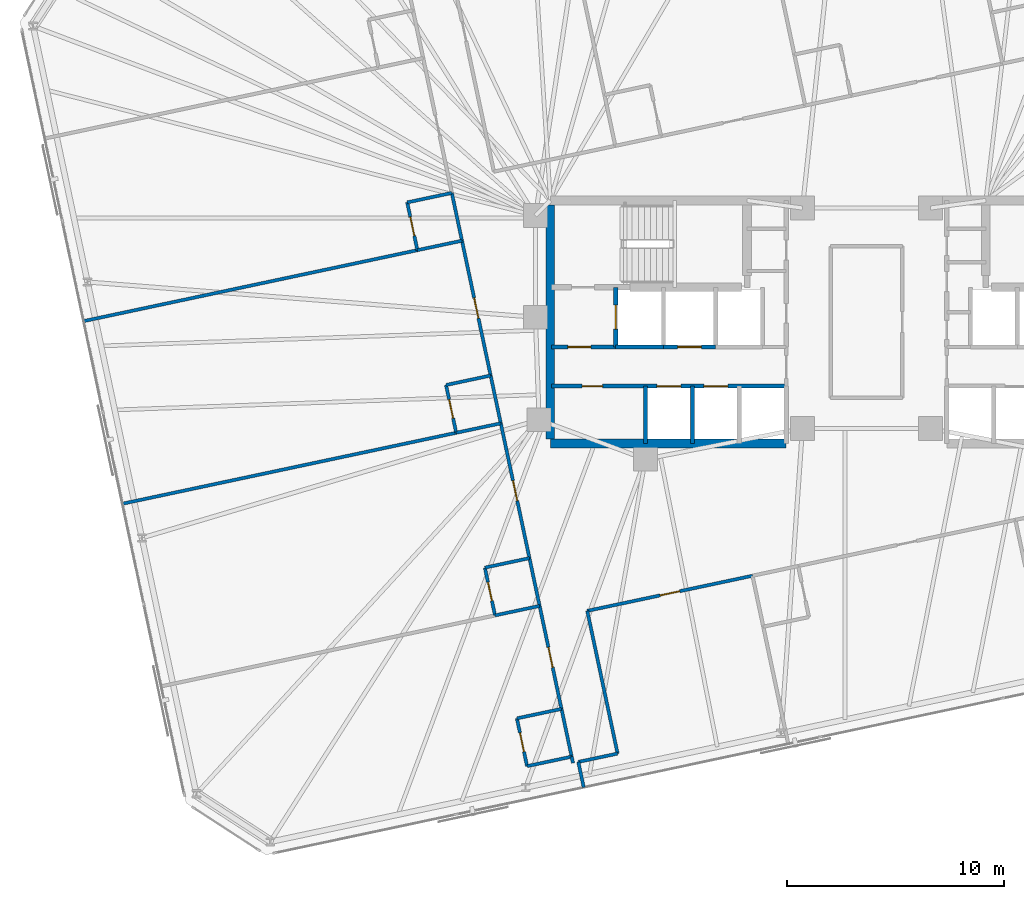
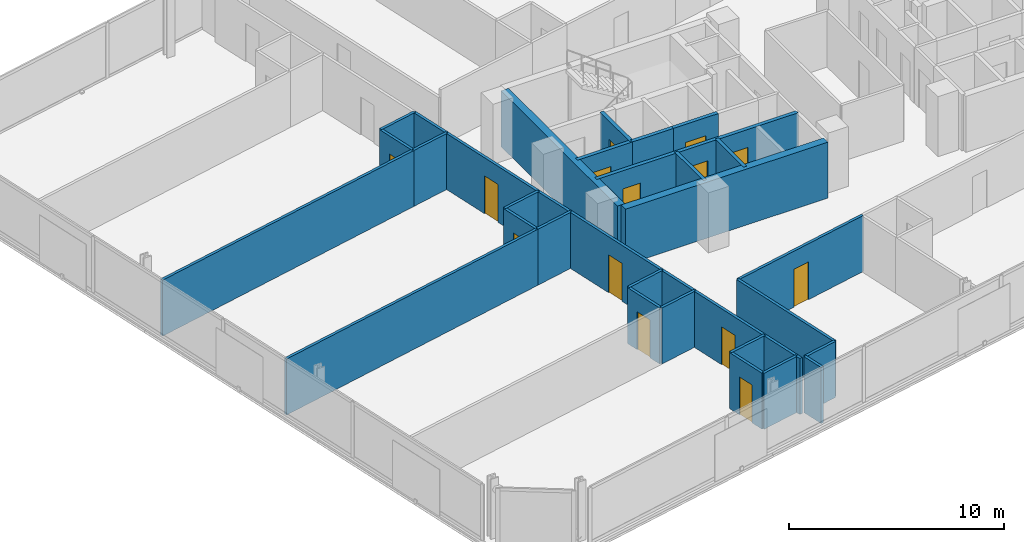
# One storey, part 14 of 19: 35 walls, 14 doors, 14 openings.
"""IFC4 building model written with IfcOpenShell, lengths in metres."""

from ifc_helpers import new_model, si_unit, direction, frame, frame_2d, origin, place, context, subcontext, project, spatial, rectangle, extrude, material, layer, layer_set, type_object, element, fill, save


model = new_model("IFC4")

# Units and contexts
model_context = context("Model", 3, precision=1e-05, world=origin(), true_north=direction((0.0, 1.0)))
body_context = subcontext(model_context, "Body", "Model", "MODEL_VIEW")
ifc_project = project(units=[si_unit("LENGTHUNIT", "METRE"), si_unit("AREAUNIT", "SQUARE_METRE"), si_unit("VOLUMEUNIT", "CUBIC_METRE"), si_unit("PLANEANGLEUNIT", "RADIAN"), si_unit("MASSUNIT", "GRAM", prefix="KILO")], contexts=[model_context])

# Site, building, storey
site_placement = place(None, origin())
site = spatial("IfcSite", under=ifc_project, at=site_placement, CompositionType="ELEMENT")
building_placement = place(site_placement, origin())
building = spatial("IfcBuilding", under=site, at=building_placement, Name="Menara Jurai Vektor", CompositionType="ELEMENT")
storey_placement = place(building_placement, frame((0.0, 0.0, 161.60009765625)))
storey = spatial("IfcBuildingStorey", under=building, at=storey_placement, Name="L41", CompositionType="ELEMENT", Elevation=161.60009765625)

# Wall, opening, door
ifc_material_1 = material(Name="Concrete C40/50", Category="concrete")
ifc_layer_1 = layer(ifc_material_1, 0.25)
ifc_layer_set_1 = layer_set([ifc_layer_1], Name="Concrete C40/50")
wall_type_1 = type_object("IfcWallType", Name="INT-WALL-CORE-250", PredefinedType="STANDARD", material=ifc_layer_set_1)
wall_1_placement = place(storey_placement, frame((-11.550048828125, -1.14990234375, 0.0), z_axis=(0.0, 0.0, 1.0), x_axis=(0.0, 1.0, 0.0)))
wall_1 = element("IfcWall", 1, at=wall_1_placement, inside=storey, type_object=wall_type_1, Name="Interior Wall IW-250 L41", PredefinedType="STANDARD", context=body_context, shape_type="SweptSolid", body=[
    extrude(rectangle(XDim=2.75, YDim=0.199951171875, at=frame_2d((1.375, 0.0))), origin(), (0.0, 0.0, 1.0), 3.1748046875),
])
opening_1_placement = place(wall_1_placement, frame((0.824951171875, 0.0, 0.0)))
opening_1 = element("IfcOpeningElement", 2, at=opening_1_placement, cuts=wall_1, Name="Opening LD-L41-FL1", PredefinedType="OPENING", context=body_context, shape_type="SweptSolid", body=[
    extrude(rectangle(XDim=1.10009765625, YDim=2.14990234375, at=frame_2d((0.550048828125, 1.074951171875))), frame((0.0, 0.10986328125, 0.0), z_axis=(0.0, -1.0, 0.0), x_axis=(1.0, 0.0, 0.0)), (0.0, 0.0, 1.0), 0.219970703125),
])
ifc_material_2 = material(Name="Stainless Steel Sliding Lift Landing Door", Category="steel")
door_type_1 = type_object("IfcDoorType", Name="DR-LIFT-FIRE-1100", OperationType="NOTDEFINED", PredefinedType="DOOR", material=ifc_material_2)
door_1_placement = place(opening_1_placement, origin())
door_1 = element("IfcDoor", 3, at=door_1_placement, inside=storey, type_object=door_type_1, Name="Lift Landing Door FL1 L41", OperationType="SLIDING_TO_RIGHT", OverallHeight=2.14990234375, OverallWidth=1.10009765625, PredefinedType="DOOR", context=body_context, shape_type="SweptSolid", body=[
    extrude(rectangle(XDim=1.10009765625, YDim=2.14990234375, at=frame_2d((0.550048828125, 1.074951171875))), frame((0.0, 0.02490234375, 0.0), z_axis=(0.0, -1.0, 0.0), x_axis=(1.0, 0.0, 0.0)), (0.0, 0.0, 1.0), 0.050048828125),
])
fill(opening_1, door_1)

wall_2_placement = place(storey_placement, frame((-14.5, -1.14990234375, 0.0), z_axis=(0.0, 0.0, 1.0), x_axis=(1.0, 0.0, 0.0)))
wall_2 = element("IfcWall", 4, at=wall_2_placement, inside=storey, type_object=wall_type_1, Name="Interior Wall IW-250 L41", PredefinedType="STANDARD", context=body_context, shape_type="SweptSolid", body=[
    extrude(rectangle(XDim=2.949951171875, YDim=0.199951171875, at=frame_2d((1.47509765625, 0.0))), origin(), (0.0, 0.0, 1.0), 3.1748046875),
])
opening_2_placement = place(wall_2_placement, frame((0.75, 0.0, 0.0)))
opening_2 = element("IfcOpeningElement", 5, at=opening_2_placement, cuts=wall_2, Name="Opening D-L41-FFW", PredefinedType="OPENING", context=body_context, shape_type="SweptSolid", body=[
    extrude(rectangle(XDim=1.050048828125, YDim=2.179931640625, at=frame_2d((0.52490234375, 1.08984375))), frame((0.0, 0.10986328125, 0.0), z_axis=(0.0, -1.0, 0.0), x_axis=(1.0, 0.0, 0.0)), (0.0, 0.0, 1.0), 0.219970703125),
])
ifc_material_3 = material(Name="Fire-Rated Timber Door", Category="wood")
door_type_2 = type_object("IfcDoorType", Name="DR-LOBBY-1050", OperationType="NOTDEFINED", PredefinedType="DOOR", material=ifc_material_3)
door_2_placement = place(opening_2_placement, origin())
door_2 = element("IfcDoor", 6, at=door_2_placement, inside=storey, type_object=door_type_2, Name="Fire Lift Lobby Door W L41", OperationType="SINGLE_SWING_RIGHT", OverallHeight=2.179931640625, OverallWidth=1.050048828125, PredefinedType="DOOR", context=body_context, shape_type="SweptSolid", body=[
    extrude(rectangle(XDim=1.050048828125, YDim=2.179931640625, at=frame_2d((0.52490234375, 1.08984375))), frame((0.0, 0.02490234375, 0.0), z_axis=(0.0, -1.0, 0.0), x_axis=(1.0, 0.0, 0.0)), (0.0, 0.0, 1.0), 0.050048828125),
])
fill(opening_2, door_2)

# Walls
wall_3_placement = place(storey_placement, frame((-11.550048828125, -1.14990234375, 0.0), z_axis=(0.0, 0.0, 1.0), x_axis=(1.0, 0.0, 0.0)))
element("IfcWall", 7, at=wall_3_placement, inside=storey, type_object=wall_type_1, Name="Interior Wall IW-250 L41", PredefinedType="STANDARD", context=body_context, shape_type="SweptSolid", body=[
    extrude(rectangle(XDim=2.199951171875, YDim=0.199951171875, at=frame_2d((1.10009765625, 0.0))), origin(), (0.0, 0.0, 1.0), 3.1748046875),
])
ifc_material_4 = material(Name="Gypsum Fireboard Partition", Category="gypsum")
ifc_layer_2 = layer(ifc_material_4, 0.14990234375)
ifc_layer_set_2 = layer_set([ifc_layer_2], Name="Gypsum Fireboard Partition")
wall_type_2 = type_object("IfcWallType", Name="INT-WALL-CORR-150", PredefinedType="PARTITIONING", material=ifc_layer_set_2)
wall_4_placement = place(storey_placement, frame((-13.274169921875, -20.264892578125, 0.0), z_axis=(0.0, 0.0, 1.0), x_axis=(0.978160192495, 0.207852442415, 0.0)))
element("IfcWall", 8, at=wall_4_placement, inside=storey, type_object=wall_type_2, Name="Interior Wall IW-150 L41", PredefinedType="PARTITIONING", context=body_context, shape_type="SweptSolid", body=[
    extrude(rectangle(XDim=1.849853515625, YDim=0.14990234375, at=frame_2d((0.9248046875, 0.0))), origin(), (0.0, 0.0, 1.0), 3.1748046875),
])
wall_5_placement = place(storey_placement, frame((-11.464599609375, -19.88037109375, 0.0), z_axis=(0.0, 0.0, 1.0), x_axis=(-0.207916109912, 0.978146661416, 0.0)))
element("IfcWall", 9, at=wall_5_placement, inside=storey, type_object=wall_type_2, Name="Interior Wall IW-150 L41", PredefinedType="PARTITIONING", context=body_context, shape_type="SweptSolid", body=[
    extrude(rectangle(XDim=6.72021484375, YDim=0.14990234375, at=frame_2d((3.360107421875, 0.0))), origin(), (0.0, 0.0, 1.0), 3.1748046875),
])

# Wall, opening, door
wall_6_placement = place(storey_placement, frame((-12.86181640625, -13.30712890625, 0.0), z_axis=(0.0, 0.0, 1.0), x_axis=(0.978144096287, 0.20792817726, 0.0)))
wall_6 = element("IfcWall", 10, at=wall_6_placement, inside=storey, type_object=wall_type_2, Name="Interior Wall IW-150 L41", PredefinedType="PARTITIONING", context=body_context, shape_type="SweptSolid", body=[
    extrude(rectangle(XDim=7.78125, YDim=0.14990234375, at=frame_2d((3.890625, 0.0))), origin(), (0.0, 0.0, 1.0), 3.1748046875),
])
opening_3_placement = place(wall_6_placement, frame((3.430419921875, 0.0, 0.0)))
opening_3 = element("IfcOpeningElement", 11, at=opening_3_placement, cuts=wall_6, Name="Opening D41-16", PredefinedType="OPENING", context=body_context, shape_type="SweptSolid", body=[
    extrude(rectangle(XDim=0.919921875, YDim=2.14990234375, at=frame_2d((0.4599609375, 1.074951171875))), frame((0.0, 0.0849609375, 0.0), z_axis=(0.0, -1.0, 0.0), x_axis=(1.0, 0.0, 0.0)), (0.0, 0.0, 1.0), 0.169921875),
])
ifc_material_5 = material(Name="Solid Core Timber Fire Door", Category="wood")
door_type_3 = type_object("IfcDoorType", Name="DR-ENTRY-950", OperationType="NOTDEFINED", PredefinedType="DOOR", material=ifc_material_5)
door_3_placement = place(opening_3_placement, origin())
door_3 = element("IfcDoor", 12, at=door_3_placement, inside=storey, type_object=door_type_3, Name="Interior Door D41-16", OperationType="SINGLE_SWING_LEFT", OverallHeight=2.14990234375, OverallWidth=0.919921875, PredefinedType="DOOR", context=body_context, shape_type="SweptSolid", body=[
    extrude(rectangle(XDim=0.919921875, YDim=2.14990234375, at=frame_2d((0.4599609375, 1.074951171875))), frame((0.0, 0.02490234375, 0.0), z_axis=(0.0, -1.0, 0.0), x_axis=(1.0, 0.0, 0.0)), (0.0, 0.0, 1.0), 0.050048828125),
])
fill(opening_3, door_3)

# Wall
wall_7_placement = place(storey_placement, frame((-13.518798828125, -20.31689453125, 0.0), z_axis=(0.0, 0.0, 1.0), x_axis=(-0.207527808066, 0.978229118806, 0.0)))
element("IfcWall", 13, at=wall_7_placement, inside=storey, type_object=wall_type_2, Name="Interior Wall IW-150 L41", PredefinedType="PARTITIONING", context=body_context, shape_type="SweptSolid", body=[
    extrude(rectangle(XDim=0.300048828125, YDim=0.14990234375, at=frame_2d((0.14990234375, 0.0))), origin(), (0.0, 0.0, 1.0), 3.1748046875),
])

# Wall, opening, door
wall_8_placement = place(storey_placement, frame((-14.048828125, -17.822509765625, 0.0), z_axis=(0.0, 0.0, 1.0), x_axis=(-0.2079027059, 0.978149510494, 0.0)))
wall_8 = element("IfcWall", 14, at=wall_8_placement, inside=storey, type_object=wall_type_2, Name="Interior Wall IW-150 L41", PredefinedType="PARTITIONING", context=body_context, shape_type="SweptSolid", body=[
    extrude(rectangle(XDim=4.849853515625, YDim=0.14990234375, at=frame_2d((2.4248046875, 0.0))), origin(), (0.0, 0.0, 1.0), 3.1748046875),
])
opening_4_placement = place(wall_8_placement, frame((1.949951171875, 0.0, 0.0)))
opening_4 = element("IfcOpeningElement", 15, at=opening_4_placement, cuts=wall_8, Name="Opening D41-21", PredefinedType="OPENING", context=body_context, shape_type="SweptSolid", body=[
    extrude(rectangle(XDim=0.949951171875, YDim=2.14990234375, at=frame_2d((0.47509765625, 1.074951171875))), frame((0.0, 0.0849609375, 0.0), z_axis=(0.0, -1.0, 0.0), x_axis=(1.0, 0.0, 0.0)), (0.0, 0.0, 1.0), 0.169921875),
])
door_4_placement = place(opening_4_placement, origin())
door_4 = element("IfcDoor", 16, at=door_4_placement, inside=storey, type_object=door_type_3, Name="Interior Door D41-21", OperationType="SINGLE_SWING_RIGHT", OverallHeight=2.14990234375, OverallWidth=0.949951171875, PredefinedType="DOOR", context=body_context, shape_type="SweptSolid", body=[
    extrude(rectangle(XDim=0.949951171875, YDim=2.14990234375, at=frame_2d((0.47509765625, 1.074951171875))), frame((0.0, 0.02490234375, 0.0), z_axis=(0.0, -1.0, 0.0), x_axis=(1.0, 0.0, 0.0)), (0.0, 0.0, 1.0), 0.050048828125),
])
fill(opening_4, door_4)

# Wall
wall_9_placement = place(storey_placement, frame((-13.5810546875, -20.0234375, 0.0), z_axis=(0.0, 0.0, 1.0), x_axis=(-0.207891197838, 0.978151956427, 0.0)))
element("IfcWall", 17, at=wall_9_placement, inside=storey, type_object=wall_type_2, Name="Interior Wall IW-150 L41", PredefinedType="PARTITIONING", context=body_context, shape_type="SweptSolid", body=[
    extrude(rectangle(XDim=2.25, YDim=0.14990234375, at=frame_2d((1.125, 0.0))), origin(), (0.0, 0.0, 1.0), 3.1748046875),
])

# Wall, opening, door
wall_10_placement = place(storey_placement, frame((-15.525146484375, -10.877685546875, 0.0), z_axis=(0.0, 0.0, 1.0), x_axis=(-0.207887725283, 0.978152694459, 0.0)))
wall_10 = element("IfcWall", 18, at=wall_10_placement, inside=storey, type_object=wall_type_2, Name="Interior Wall IW-150 L41", PredefinedType="PARTITIONING", context=body_context, shape_type="SweptSolid", body=[
    extrude(rectangle(XDim=6.349853515625, YDim=0.14990234375, at=frame_2d((3.1748046875, 0.0))), origin(), (0.0, 0.0, 1.0), 3.1748046875),
])
opening_5_placement = place(wall_10_placement, frame((2.699951171875, 0.0, 0.0)))
opening_5 = element("IfcOpeningElement", 19, at=opening_5_placement, cuts=wall_10, Name="Opening D41-23", PredefinedType="OPENING", context=body_context, shape_type="SweptSolid", body=[
    extrude(rectangle(XDim=0.949951171875, YDim=2.14990234375, at=frame_2d((0.47509765625, 1.074951171875))), frame((0.0, 0.0849609375, 0.0), z_axis=(0.0, -1.0, 0.0), x_axis=(1.0, 0.0, 0.0)), (0.0, 0.0, 1.0), 0.169921875),
])
door_5_placement = place(opening_5_placement, origin())
door_5 = element("IfcDoor", 20, at=door_5_placement, inside=storey, type_object=door_type_3, Name="Interior Door D41-23", OperationType="SINGLE_SWING_RIGHT", OverallHeight=2.14990234375, OverallWidth=0.949951171875, PredefinedType="DOOR", context=body_context, shape_type="SweptSolid", body=[
    extrude(rectangle(XDim=0.949951171875, YDim=2.14990234375, at=frame_2d((0.47509765625, 1.074951171875))), frame((0.0, 0.02490234375, 0.0), z_axis=(0.0, -1.0, 0.0), x_axis=(1.0, 0.0, 0.0)), (0.0, 0.0, 1.0), 0.050048828125),
])
fill(opening_5, door_5)

# Wall
wall_11_placement = place(storey_placement, frame((-15.05712890625, -13.07861328125, 0.0), z_axis=(0.0, 0.0, 1.0), x_axis=(-0.207995007687, 0.978129887478, 0.0)))
element("IfcWall", 21, at=wall_11_placement, inside=storey, type_object=wall_type_2, Name="Interior Wall IW-150 L41", PredefinedType="PARTITIONING", context=body_context, shape_type="SweptSolid", body=[
    extrude(rectangle(XDim=2.250244140625, YDim=0.14990234375, at=frame_2d((1.125, 0.0))), origin(), (0.0, 0.0, 1.0), 3.1748046875),
])

# Wall, opening, door
wall_12_placement = place(storey_placement, frame((-17.31298828125, -2.4658203125, 0.0), z_axis=(0.0, 0.0, 1.0), x_axis=(-0.207916691923, 0.978146537703, 0.0)))
wall_12 = element("IfcWall", 22, at=wall_12_placement, inside=storey, type_object=wall_type_2, Name="Interior Wall IW-150 L41", PredefinedType="PARTITIONING", context=body_context, shape_type="SweptSolid", body=[
    extrude(rectangle(XDim=6.35009765625, YDim=0.14990234375, at=frame_2d((3.175048828125, 0.0))), origin(), (0.0, 0.0, 1.0), 3.1748046875),
])
opening_6_placement = place(wall_12_placement, frame((2.699951171875, 0.0, 0.0)))
opening_6 = element("IfcOpeningElement", 23, at=opening_6_placement, cuts=wall_12, Name="Opening D41-25", PredefinedType="OPENING", context=body_context, shape_type="SweptSolid", body=[
    extrude(rectangle(XDim=0.949951171875, YDim=2.14990234375, at=frame_2d((0.47509765625, 1.074951171875))), frame((0.0, 0.0849609375, 0.0), z_axis=(0.0, -1.0, 0.0), x_axis=(1.0, 0.0, 0.0)), (0.0, 0.0, 1.0), 0.169921875),
])
door_6_placement = place(opening_6_placement, origin())
door_6 = element("IfcDoor", 24, at=door_6_placement, inside=storey, type_object=door_type_3, Name="Interior Door D41-25", OperationType="SINGLE_SWING_RIGHT", OverallHeight=2.14990234375, OverallWidth=0.949951171875, PredefinedType="DOOR", context=body_context, shape_type="SweptSolid", body=[
    extrude(rectangle(XDim=0.949951171875, YDim=2.14990234375, at=frame_2d((0.47509765625, 1.074951171875))), frame((0.0, 0.02490234375, 0.0), z_axis=(0.0, -1.0, 0.0), x_axis=(1.0, 0.0, 0.0)), (0.0, 0.0, 1.0), 0.050048828125),
])
fill(opening_6, door_6)

# Walls
for number, where, z_axis, x_axis, name in (
    (25, (-16.84521484375, -4.66650390625, 0.0), (0.0, 0.0, 1.0), (-0.207913264065, 0.978147266328, 0.0), "Interior Wall IW-150 L41"),
    (26, (-18.63330078125, 3.74560546875, 0.0), (0.0, 0.0, 1.0), (-0.207913264065, 0.978147266328, 0.0), "Interior Wall IW-150 L41"),
):
    element("IfcWall", number, at=place(storey_placement, frame(where, z_axis=z_axis, x_axis=x_axis)), inside=storey, type_object=wall_type_2, Name=name, PredefinedType="PARTITIONING", context=body_context, shape_type="SweptSolid", body=[
        extrude(rectangle(XDim=2.249755859375, YDim=0.14990234375, at=frame_2d((1.125, 0.0))), origin(), (0.0, 0.0, 1.0), 3.1748046875),
    ])
wall_13_placement = place(storey_placement, frame((-13.024658203125, -21.438720703125, 0.0), z_axis=(0.0, 0.0, 1.0), x_axis=(-0.207917150959, 0.978146440129, 0.0)))
element("IfcWall", 27, at=wall_13_placement, inside=storey, type_object=wall_type_2, Name="Interior Wall IW-150 L41", PredefinedType="PARTITIONING", context=body_context, shape_type="SweptSolid", body=[
    extrude(rectangle(XDim=1.199951171875, YDim=0.14990234375, at=frame_2d((0.60009765625, 0.0))), origin(), (0.0, 0.0, 1.0), 3.1748046875),
])

# Wall, opening, door
wall_14_placement = place(storey_placement, frame((-15.63525390625, -20.4599609375, 0.0), z_axis=(0.0, 0.0, 1.0), x_axis=(-0.207913264065, 0.978147266328, 0.0)))
wall_14 = element("IfcWall", 28, at=wall_14_placement, inside=storey, type_object=wall_type_2, Name="Interior Wall IW-150 L41", PredefinedType="PARTITIONING", context=body_context, shape_type="SweptSolid", body=[
    extrude(rectangle(XDim=2.249755859375, YDim=0.14990234375, at=frame_2d((1.125, 0.0))), origin(), (0.0, 0.0, 1.0), 3.1748046875),
])
opening_7_placement = place(wall_14_placement, frame((0.68505859375, 0.0, 0.0)))
opening_7 = element("IfcOpeningElement", 29, at=opening_7_placement, cuts=wall_14, Name="Opening D41-22", PredefinedType="OPENING", context=body_context, shape_type="SweptSolid", body=[
    extrude(rectangle(XDim=0.8798828125, YDim=2.14990234375, at=frame_2d((0.43994140625, 1.074951171875))), frame((0.0, 0.0849609375, 0.0), z_axis=(0.0, -1.0, 0.0), x_axis=(1.0, 0.0, 0.0)), (0.0, 0.0, 1.0), 0.169921875),
])
ifc_material_6 = material(Name="Moisture-Resistant Timber Door", Category="wood")
door_type_4 = type_object("IfcDoorType", Name="DR-BATH-880", OperationType="NOTDEFINED", PredefinedType="DOOR", material=ifc_material_6)
door_7_placement = place(opening_7_placement, origin())
door_7 = element("IfcDoor", 30, at=door_7_placement, inside=storey, type_object=door_type_4, Name="Interior Door D41-22", OperationType="SINGLE_SWING_LEFT", OverallHeight=2.14990234375, OverallWidth=0.8798828125, PredefinedType="DOOR", context=body_context, shape_type="SweptSolid", body=[
    extrude(rectangle(XDim=0.8798828125, YDim=2.14990234375, at=frame_2d((0.43994140625, 1.074951171875))), frame((0.0, 0.02490234375, 0.0), z_axis=(0.0, -1.0, 0.0), x_axis=(1.0, 0.0, 0.0)), (0.0, 0.0, 1.0), 0.050048828125),
])
fill(opening_7, door_7)

# Walls
for number, where, z_axis, x_axis, name in (
    (31, (-15.63525390625, -20.4599609375, 0.0), (0.0, 0.0, 1.0), (0.97815826, 0.207861536591, 0.0), "Interior Wall IW-150 L41"),
    (32, (-16.10302734375, -18.25927734375, 0.0), (0.0, 0.0, 1.0), (0.978134617382, 0.207972763311, 0.0), "Interior Wall IW-150 L41"),
    (33, (-17.111328125, -13.51513671875, 0.0), (0.0, 0.0, 1.0), (0.97815826, 0.207861536591, 0.0), "Interior Wall IW-150 L41"),
):
    element("IfcWall", number, at=place(storey_placement, frame(where, z_axis=z_axis, x_axis=x_axis)), inside=storey, type_object=wall_type_2, Name=name, PredefinedType="PARTITIONING", context=body_context, shape_type="SweptSolid", body=[
        extrude(rectangle(XDim=2.10009765625, YDim=0.14990234375, at=frame_2d((1.050048828125, 0.0))), origin(), (0.0, 0.0, 1.0), 3.1748046875),
    ])

# Wall, opening, door
wall_15_placement = place(storey_placement, frame((-17.111328125, -13.51513671875, 0.0), z_axis=(0.0, 0.0, 1.0), x_axis=(-0.207913264065, 0.978147266328, 0.0)))
wall_15 = element("IfcWall", 34, at=wall_15_placement, inside=storey, type_object=wall_type_2, Name="Interior Wall IW-150 L41", PredefinedType="PARTITIONING", context=body_context, shape_type="SweptSolid", body=[
    extrude(rectangle(XDim=2.249755859375, YDim=0.14990234375, at=frame_2d((1.125, 0.0))), origin(), (0.0, 0.0, 1.0), 3.1748046875),
])
opening_8_placement = place(wall_15_placement, frame((0.68505859375, 0.0, 0.0)))
opening_8 = element("IfcOpeningElement", 35, at=opening_8_placement, cuts=wall_15, Name="Opening D41-24", PredefinedType="OPENING", context=body_context, shape_type="SweptSolid", body=[
    extrude(rectangle(XDim=0.8798828125, YDim=2.14990234375, at=frame_2d((0.43994140625, 1.074951171875))), frame((0.0, 0.0849609375, 0.0), z_axis=(0.0, -1.0, 0.0), x_axis=(1.0, 0.0, 0.0)), (0.0, 0.0, 1.0), 0.169921875),
])
door_8_placement = place(opening_8_placement, origin())
door_8 = element("IfcDoor", 36, at=door_8_placement, inside=storey, type_object=door_type_4, Name="Interior Door D41-24", OperationType="SINGLE_SWING_LEFT", OverallHeight=2.14990234375, OverallWidth=0.8798828125, PredefinedType="DOOR", context=body_context, shape_type="SweptSolid", body=[
    extrude(rectangle(XDim=0.8798828125, YDim=2.14990234375, at=frame_2d((0.43994140625, 1.074951171875))), frame((0.0, 0.02490234375, 0.0), z_axis=(0.0, -1.0, 0.0), x_axis=(1.0, 0.0, 0.0)), (0.0, 0.0, 1.0), 0.050048828125),
])
fill(opening_8, door_8)

# Walls
wall_16_placement = place(storey_placement, frame((-17.5791015625, -11.314453125, 0.0), z_axis=(0.0, 0.0, 1.0), x_axis=(0.978129588365, 0.207996414309, 0.0)))
element("IfcWall", 37, at=wall_16_placement, inside=storey, type_object=wall_type_2, Name="Interior Wall IW-150 L41", PredefinedType="PARTITIONING", context=body_context, shape_type="SweptSolid", body=[
    extrude(rectangle(XDim=2.099853515625, YDim=0.14990234375, at=frame_2d((1.0498046875, 0.0))), origin(), (0.0, 0.0, 1.0), 3.1748046875),
])
wall_17_placement = place(storey_placement, frame((-34.27392578125, -8.37109375, 0.0), z_axis=(0.0, 0.0, 1.0), x_axis=(0.978146137903, 0.207918572776, 0.0)))
element("IfcWall", 38, at=wall_17_placement, inside=storey, type_object=wall_type_2, Name="Interior Wall IW-150 L41", PredefinedType="PARTITIONING", context=body_context, shape_type="SweptSolid", body=[
    extrude(rectangle(XDim=15.718017578125, YDim=0.14990234375, at=frame_2d((7.85888671875, 0.0))), origin(), (0.0, 0.0, 1.0), 3.1748046875),
])
wall_18_placement = place(storey_placement, frame((-18.8994140625, -5.10302734375, 0.0), z_axis=(0.0, 0.0, 1.0), x_axis=(0.97815826, 0.207861536591, 0.0)))
element("IfcWall", 39, at=wall_18_placement, inside=storey, type_object=wall_type_2, Name="Interior Wall IW-150 L41", PredefinedType="PARTITIONING", context=body_context, shape_type="SweptSolid", body=[
    extrude(rectangle(XDim=2.10009765625, YDim=0.14990234375, at=frame_2d((1.050048828125, 0.0))), origin(), (0.0, 0.0, 1.0), 3.1748046875),
])

# Wall, opening, door
wall_19_placement = place(storey_placement, frame((-18.8994140625, -5.10302734375, 0.0), z_axis=(0.0, 0.0, 1.0), x_axis=(-0.207913264065, 0.978147266328, 0.0)))
wall_19 = element("IfcWall", 40, at=wall_19_placement, inside=storey, type_object=wall_type_2, Name="Interior Wall IW-150 L41", PredefinedType="PARTITIONING", context=body_context, shape_type="SweptSolid", body=[
    extrude(rectangle(XDim=2.249755859375, YDim=0.14990234375, at=frame_2d((1.125, 0.0))), origin(), (0.0, 0.0, 1.0), 3.1748046875),
])
opening_9_placement = place(wall_19_placement, frame((0.68505859375, 0.0, 0.0)))
opening_9 = element("IfcOpeningElement", 41, at=opening_9_placement, cuts=wall_19, Name="Opening D41-26", PredefinedType="OPENING", context=body_context, shape_type="SweptSolid", body=[
    extrude(rectangle(XDim=0.8798828125, YDim=2.14990234375, at=frame_2d((0.43994140625, 1.074951171875))), frame((0.0, 0.0849609375, 0.0), z_axis=(0.0, -1.0, 0.0), x_axis=(1.0, 0.0, 0.0)), (0.0, 0.0, 1.0), 0.169921875),
])
door_9_placement = place(opening_9_placement, origin())
door_9 = element("IfcDoor", 42, at=door_9_placement, inside=storey, type_object=door_type_4, Name="Interior Door D41-26", OperationType="SINGLE_SWING_LEFT", OverallHeight=2.14990234375, OverallWidth=0.8798828125, PredefinedType="DOOR", context=body_context, shape_type="SweptSolid", body=[
    extrude(rectangle(XDim=0.8798828125, YDim=2.14990234375, at=frame_2d((0.43994140625, 1.074951171875))), frame((0.0, 0.02490234375, 0.0), z_axis=(0.0, -1.0, 0.0), x_axis=(1.0, 0.0, 0.0)), (0.0, 0.0, 1.0), 0.050048828125),
])
fill(opening_9, door_9)

# Walls
wall_20_placement = place(storey_placement, frame((-19.3671875, -2.90234375, 0.0), z_axis=(0.0, 0.0, 1.0), x_axis=(0.97815826, 0.207861536591, 0.0)))
element("IfcWall", 43, at=wall_20_placement, inside=storey, type_object=wall_type_2, Name="Interior Wall IW-150 L41", PredefinedType="PARTITIONING", context=body_context, shape_type="SweptSolid", body=[
    extrude(rectangle(XDim=2.10009765625, YDim=0.14990234375, at=frame_2d((1.050048828125, 0.0))), origin(), (0.0, 0.0, 1.0), 3.1748046875),
])
wall_21_placement = place(storey_placement, frame((-36.06201171875, 0.041015625, 0.0), z_axis=(0.0, 0.0, 1.0), x_axis=(0.978149296727, 0.207903711638, 0.0)))
element("IfcWall", 44, at=wall_21_placement, inside=storey, type_object=wall_type_2, Name="Interior Wall IW-150 L41", PredefinedType="PARTITIONING", context=body_context, shape_type="SweptSolid", body=[
    extrude(rectangle(XDim=15.718017578125, YDim=0.14990234375, at=frame_2d((7.85888671875, 0.0))), origin(), (0.0, 0.0, 1.0), 3.1748046875),
])
wall_22_placement = place(storey_placement, frame((-20.6875, 3.308837890625, 0.0), z_axis=(0.0, 0.0, 1.0), x_axis=(0.978134617382, 0.207972763311, 0.0)))
element("IfcWall", 45, at=wall_22_placement, inside=storey, type_object=wall_type_2, Name="Interior Wall IW-150 L41", PredefinedType="PARTITIONING", context=body_context, shape_type="SweptSolid", body=[
    extrude(rectangle(XDim=2.10009765625, YDim=0.14990234375, at=frame_2d((1.050048828125, 0.0))), origin(), (0.0, 0.0, 1.0), 3.1748046875),
])

# Wall, opening, door
wall_23_placement = place(storey_placement, frame((-20.6875, 3.308837890625, 0.0), z_axis=(0.0, 0.0, 1.0), x_axis=(-0.207891197838, 0.978151956427, 0.0)))
wall_23 = element("IfcWall", 46, at=wall_23_placement, inside=storey, type_object=wall_type_2, Name="Interior Wall IW-150 L41", PredefinedType="PARTITIONING", context=body_context, shape_type="SweptSolid", body=[
    extrude(rectangle(XDim=2.25, YDim=0.14990234375, at=frame_2d((1.125, 0.0))), origin(), (0.0, 0.0, 1.0), 3.1748046875),
])
opening_10_placement = place(wall_23_placement, frame((0.68505859375, 0.0, 0.0)))
opening_10 = element("IfcOpeningElement", 47, at=opening_10_placement, cuts=wall_23, Name="Opening D41-28", PredefinedType="OPENING", context=body_context, shape_type="SweptSolid", body=[
    extrude(rectangle(XDim=0.8798828125, YDim=2.14990234375, at=frame_2d((0.43994140625, 1.074951171875))), frame((0.0, 0.0849609375, 0.0), z_axis=(0.0, -1.0, 0.0), x_axis=(1.0, 0.0, 0.0)), (0.0, 0.0, 1.0), 0.169921875),
])
door_10_placement = place(opening_10_placement, origin())
door_10 = element("IfcDoor", 48, at=door_10_placement, inside=storey, type_object=door_type_4, Name="Interior Door D41-28", OperationType="SINGLE_SWING_LEFT", OverallHeight=2.14990234375, OverallWidth=0.8798828125, PredefinedType="DOOR", context=body_context, shape_type="SweptSolid", body=[
    extrude(rectangle(XDim=0.8798828125, YDim=2.14990234375, at=frame_2d((0.43994140625, 1.074951171875))), frame((0.0, 0.02490234375, 0.0), z_axis=(0.0, -1.0, 0.0), x_axis=(1.0, 0.0, 0.0)), (0.0, 0.0, 1.0), 0.050048828125),
])
fill(opening_10, door_10)

# Wall
wall_24_placement = place(storey_placement, frame((-21.1552734375, 5.509765625, 0.0), z_axis=(0.0, 0.0, 1.0), x_axis=(0.97815826, 0.207861536591, 0.0)))
element("IfcWall", 49, at=wall_24_placement, inside=storey, type_object=wall_type_2, Name="Interior Wall IW-150 L41", PredefinedType="PARTITIONING", context=body_context, shape_type="SweptSolid", body=[
    extrude(rectangle(XDim=2.10009765625, YDim=0.14990234375, at=frame_2d((1.050048828125, 0.0))), origin(), (0.0, 0.0, 1.0), 3.1748046875),
])

# Wall, opening, door
ifc_layer_3 = layer(ifc_material_1, 0.199951171875)
ifc_layer_set_3 = layer_set([ifc_layer_3], Name="Concrete C40/50")
wall_type_3 = type_object("IfcWallType", Name="INT-WALL-SHAFT-200", PredefinedType="STANDARD", material=ifc_layer_set_3)
wall_25_placement = place(storey_placement, frame((-9.35009765625, -1.14990234375, 0.0), z_axis=(0.0, 0.0, 1.0), x_axis=(1.0, 0.0, 0.0)))
wall_25 = element("IfcWall", 50, at=wall_25_placement, inside=storey, type_object=wall_type_3, Name="Interior Wall IW-200 L41", PredefinedType="STANDARD", context=body_context, shape_type="SweptSolid", body=[
    extrude(rectangle(XDim=2.400146484375, YDim=0.199951171875, at=frame_2d((1.2001953125, 0.0))), origin(), (0.0, 0.0, 1.0), 3.1748046875),
])
opening_11_placement = place(wall_25_placement, frame((0.64990234375, 0.0, 0.0)))
opening_11 = element("IfcOpeningElement", 51, at=opening_11_placement, cuts=wall_25, Name="Opening LD-L41-SVL1", PredefinedType="OPENING", context=body_context, shape_type="SweptSolid", body=[
    extrude(rectangle(XDim=1.10009765625, YDim=2.14990234375, at=frame_2d((0.550048828125, 1.074951171875))), frame((0.0, 0.10986328125, 0.0), z_axis=(0.0, -1.0, 0.0), x_axis=(1.0, 0.0, 0.0)), (0.0, 0.0, 1.0), 0.219970703125),
])
ifc_material_7 = material(Name="Anodised Stainless Sliding Lift Landing Door", Category="steel")
door_type_5 = type_object("IfcDoorType", Name="DR-LIFT-PASS-1100", OperationType="NOTDEFINED", PredefinedType="DOOR", material=ifc_material_7)
door_11_placement = place(opening_11_placement, origin())
door_11 = element("IfcDoor", 52, at=door_11_placement, inside=storey, type_object=door_type_5, Name="Lift Landing Door SVL1 L41", OperationType="SLIDING_TO_RIGHT", OverallHeight=2.14990234375, OverallWidth=1.10009765625, PredefinedType="DOOR", context=body_context, shape_type="SweptSolid", body=[
    extrude(rectangle(XDim=1.10009765625, YDim=2.14990234375, at=frame_2d((0.550048828125, 1.074951171875))), frame((0.0, 0.02490234375, 0.0), z_axis=(0.0, -1.0, 0.0), x_axis=(1.0, 0.0, 0.0)), (0.0, 0.0, 1.0), 0.050048828125),
])
fill(opening_11, door_11)

# Wall, openings, doors
wall_26_placement = place(storey_placement, frame((-14.5, -2.949951171875, 0.0), z_axis=(0.0, 0.0, 1.0), x_axis=(1.0, 0.0, 0.0)))
wall_26 = element("IfcWall", 53, at=wall_26_placement, inside=storey, type_object=wall_type_3, Name="Interior Wall IW-200 L41", PredefinedType="STANDARD", context=body_context, shape_type="SweptSolid", body=[
    extrude(rectangle(XDim=10.800048828125, YDim=0.199951171875, at=frame_2d((5.39990234375, 0.0))), origin(), (0.0, 0.0, 1.0), 3.1748046875),
])
opening_12_placement = place(wall_26_placement, frame((4.85009765625, 0.0, 0.0)))
opening_12 = element("IfcOpeningElement", 54, at=opening_12_placement, cuts=wall_26, Name="Opening LD-L41-PM1", PredefinedType="OPENING", context=body_context, shape_type="SweptSolid", body=[
    extrude(rectangle(XDim=1.10009765625, YDim=2.14990234375, at=frame_2d((0.550048828125, 1.074951171875))), frame((0.0, 0.10986328125, 0.0), z_axis=(0.0, -1.0, 0.0), x_axis=(1.0, 0.0, 0.0)), (0.0, 0.0, 1.0), 0.219970703125),
])
opening_13_placement = place(wall_26_placement, frame((7.010009765625, 0.0, 0.0)))
opening_13 = element("IfcOpeningElement", 55, at=opening_13_placement, cuts=wall_26, Name="Opening LD-L41-PM2", PredefinedType="OPENING", context=body_context, shape_type="SweptSolid", body=[
    extrude(rectangle(XDim=1.10009765625, YDim=2.14990234375, at=frame_2d((0.550048828125, 1.074951171875))), frame((0.0, 0.10986328125, 0.0), z_axis=(0.0, -1.0, 0.0), x_axis=(1.0, 0.0, 0.0)), (0.0, 0.0, 1.0), 0.219970703125),
])
opening_14_placement = place(wall_26_placement, frame((1.39990234375, 0.0, 0.0)))
opening_14 = element("IfcOpeningElement", 56, at=opening_14_placement, cuts=wall_26, Name="Opening D41-01", PredefinedType="OPENING", context=body_context, shape_type="SweptSolid", body=[
    extrude(rectangle(XDim=0.949951171875, YDim=2.14990234375, at=frame_2d((0.47509765625, 1.074951171875))), frame((0.0, 0.10986328125, 0.0), z_axis=(0.0, -1.0, 0.0), x_axis=(1.0, 0.0, 0.0)), (0.0, 0.0, 1.0), 0.219970703125),
])
door_12_placement = place(opening_14_placement, origin())
door_12 = element("IfcDoor", 57, at=door_12_placement, inside=storey, type_object=door_type_3, Name="Interior Door D41-01", OperationType="SINGLE_SWING_LEFT", OverallHeight=2.14990234375, OverallWidth=0.949951171875, PredefinedType="DOOR", context=body_context, shape_type="SweptSolid", body=[
    extrude(rectangle(XDim=0.949951171875, YDim=2.14990234375, at=frame_2d((0.47509765625, 1.074951171875))), frame((0.0, 0.02490234375, 0.0), z_axis=(0.0, -1.0, 0.0), x_axis=(1.0, 0.0, 0.0)), (0.0, 0.0, 1.0), 0.050048828125),
])
fill(opening_14, door_12)
door_13_placement = place(opening_12_placement, origin())
door_13 = element("IfcDoor", 58, at=door_13_placement, inside=storey, type_object=door_type_5, Name="Lift Landing Door PM1 L41", OperationType="SLIDING_TO_LEFT", OverallHeight=2.14990234375, OverallWidth=1.10009765625, PredefinedType="DOOR", context=body_context, shape_type="SweptSolid", body=[
    extrude(rectangle(XDim=1.10009765625, YDim=2.14990234375, at=frame_2d((0.550048828125, 1.074951171875))), frame((0.0, 0.02490234375, 0.0), z_axis=(0.0, -1.0, 0.0), x_axis=(1.0, 0.0, 0.0)), (0.0, 0.0, 1.0), 0.050048828125),
])
fill(opening_12, door_13)
door_14_placement = place(opening_13_placement, origin())
door_14 = element("IfcDoor", 59, at=door_14_placement, inside=storey, type_object=door_type_5, Name="Lift Landing Door PM2 L41", OperationType="SLIDING_TO_LEFT", OverallHeight=2.14990234375, OverallWidth=1.10009765625, PredefinedType="DOOR", context=body_context, shape_type="SweptSolid", body=[
    extrude(rectangle(XDim=1.10009765625, YDim=2.14990234375, at=frame_2d((0.550048828125, 1.074951171875))), frame((0.0, 0.02490234375, 0.0), z_axis=(0.0, -1.0, 0.0), x_axis=(1.0, 0.0, 0.0)), (0.0, 0.0, 1.0), 0.050048828125),
])
fill(opening_13, door_14)

# Walls
for number, where, z_axis, x_axis, name in (
    (60, (-10.179931640625, -5.60009765625, 0.0), (0.0, 0.0, 1.0), (0.0, 1.0, 0.0), "Interior Wall IW-200 L41"),
    (61, (-8.02001953125, -5.60009765625, 0.0), (0.0, 0.0, 1.0), (0.0, 1.0, 0.0), "Interior Wall IW-200 L41"),
):
    element("IfcWall", number, at=place(storey_placement, frame(where, z_axis=z_axis, x_axis=x_axis)), inside=storey, type_object=wall_type_3, Name=name, PredefinedType="STANDARD", context=body_context, shape_type="SweptSolid", body=[
        extrude(rectangle(XDim=2.650146484375, YDim=0.179931640625, at=frame_2d((1.3251953125, 0.0))), origin(), (0.0, 0.0, 1.0), 3.1748046875),
    ])
ifc_material_8 = material(Name="Concrete C50/60", Category="concrete")
ifc_layer_4 = layer(ifc_material_8, 0.39990234375)
ifc_layer_set_4 = layer_set([ifc_layer_4], Name="Concrete C50/60")
wall_type_4 = type_object("IfcWallType", Name="STR-WALL-CORE400", PredefinedType="SHEAR", material=ifc_layer_set_4)
wall_27_placement = place(storey_placement, frame((-14.56005859375, -5.60009765625, 0.0), z_axis=(0.0, 0.0, 1.0), x_axis=(1.0, 0.0, 0.0)))
element("IfcWall", 62, at=wall_27_placement, inside=storey, type_object=wall_type_4, Name="Core Shear Wall CW-W-S L41", PredefinedType="SHEAR", context=body_context, shape_type="SweptSolid", body=[
    extrude(rectangle(XDim=10.860107421875, YDim=0.39990234375, at=frame_2d((5.43017578125, 0.0))), origin(), (0.0, 0.0, 1.0), 3.1748046875),
])
wall_28_placement = place(storey_placement, frame((-14.56005859375, -5.39990234375, 0.0), z_axis=(0.0, 0.0, 1.0), x_axis=(0.0, 1.0, 0.0)))
element("IfcWall", 63, at=wall_28_placement, inside=storey, type_object=wall_type_4, Name="Core Shear Wall CW-W-W L41", PredefinedType="SHEAR", context=body_context, shape_type="SweptSolid", body=[
    extrude(rectangle(XDim=10.7998046875, YDim=0.39990234375, at=frame_2d((5.39990234375, 0.0))), origin(), (0.0, 0.0, 1.0), 3.1748046875),
])

save(model, "model.ifc")
